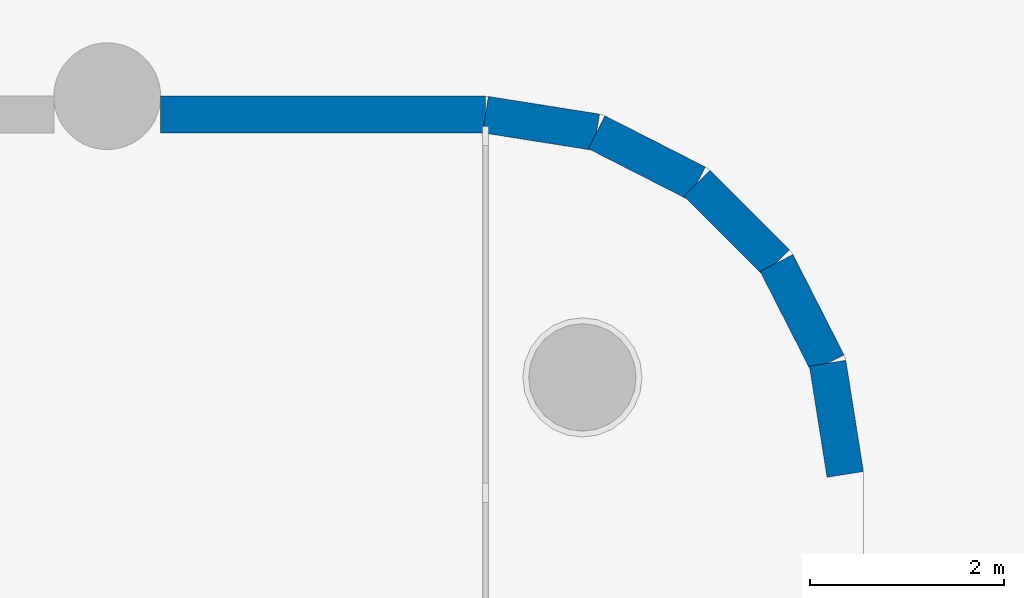
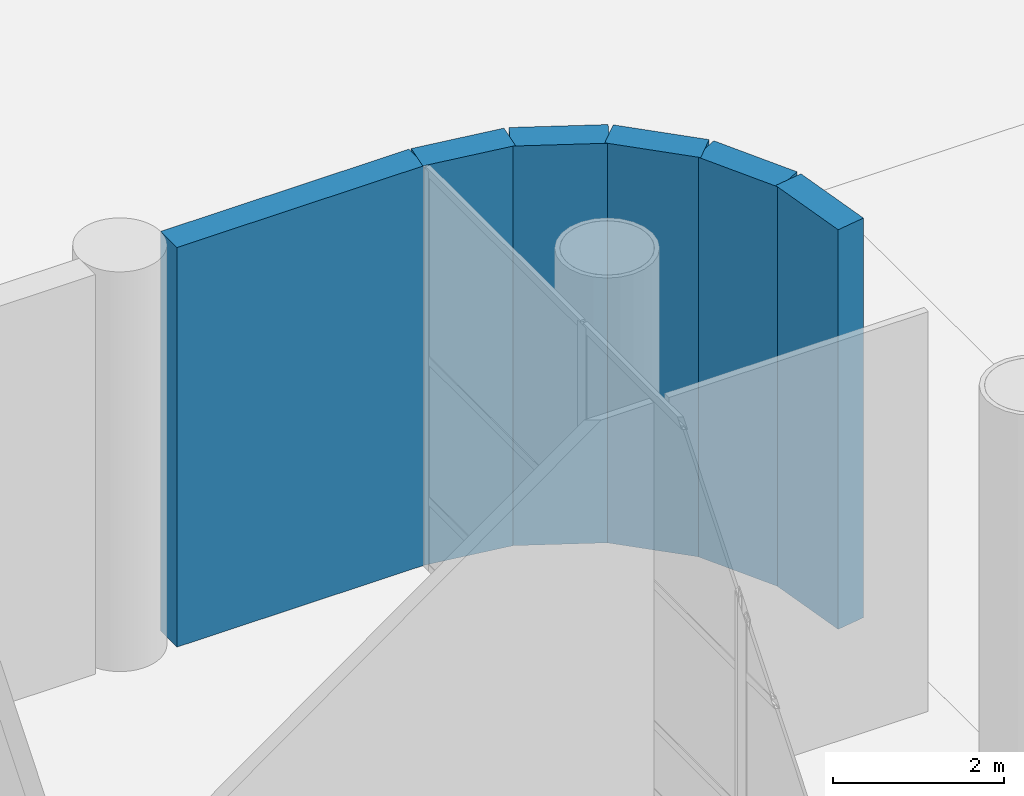
# One storey, part 16 of 32: 6 walls.
"""IFC4 building model written with IfcOpenShell, lengths in metres."""

from ifc_helpers import new_model, si_unit, direction, frame, frame_2d, origin, place, context, subcontext, project, spatial, rectangle, extrude, material, layer, layer_set, type_object, element, save


model = new_model("IFC4")

# Units and contexts
model_context = context("Model", 3, precision=1e-05, world=origin(), true_north=direction((0.0, 1.0)))
body_context = subcontext(model_context, "Body", "Model", "MODEL_VIEW")
ifc_project = project(units=[si_unit("LENGTHUNIT", "METRE"), si_unit("AREAUNIT", "SQUARE_METRE"), si_unit("VOLUMEUNIT", "CUBIC_METRE"), si_unit("PLANEANGLEUNIT", "RADIAN"), si_unit("MASSUNIT", "GRAM", prefix="KILO")], contexts=[model_context])

# Site, building, storey
site_placement = place(None, origin())
site = spatial("IfcSite", under=ifc_project, at=site_placement, CompositionType="ELEMENT")
building_placement = place(site_placement, origin())
building = spatial("IfcBuilding", under=site, at=building_placement, Name="Ludao Terraces", CompositionType="ELEMENT")
storey_placement = place(building_placement, origin())
storey = spatial("IfcBuildingStorey", under=building, at=storey_placement, Name="L00", CompositionType="ELEMENT", Elevation=0.0)

# Walls
ifc_material_1 = material(Name="Granite cladding", Category="masonry")
ifc_layer_1 = layer(ifc_material_1, 0.06005859375, Category="stone")
ifc_material_2 = material(Name="Mineral wool")
ifc_layer_2 = layer(ifc_material_2, 0.06005859375)
ifc_material_3 = material(Name="Concrete C40", Category="concrete")
ifc_layer_3 = layer(ifc_material_3, 0.260009765625, Category="concrete")
ifc_layer_set = layer_set([ifc_layer_1, ifc_layer_2, ifc_layer_3], Name="ENV Stone-clad wall 380")
wall_type = type_object("IfcWallType", Name="ENV Stone-clad wall 380", PredefinedType="SOLIDWALL", material=ifc_layer_set)
wall_1_placement = place(storey_placement, frame((116.75, 88.2099609375, 0.0), z_axis=(0.0, 0.0, 1.0), x_axis=(1.0, 0.0, 0.0)))
element("IfcWall", 1, at=wall_1_placement, inside=storey, type_object=wall_type, Name="EW-L00-N8", PredefinedType="SOLIDWALL", context=body_context, shape_type="SweptSolid", body=[
    extrude(rectangle(XDim=3.35009765625, YDim=0.3798828125, at=frame_2d((1.675048828125, 0.0))), origin(), (0.0, 0.0, 1.0), 5.699951171875),
])
wall_2_placement = place(storey_placement, frame((123.81005859375, 84.5, 0.0), z_axis=(0.0, 0.0, 1.0), x_axis=(-0.156480971952, 0.987680973502, 0.0)))
element("IfcWall", 2, at=wall_2_placement, inside=storey, type_object=wall_type, Name="EW-L00-NE1", PredefinedType="SOLIDWALL", context=body_context, shape_type="SweptSolid", body=[
    extrude(rectangle(XDim=1.160888671875, YDim=0.3798828125, at=frame_2d((0.58056640625, 0.0))), origin(), (0.0, 0.0, 1.0), 5.699951171875),
])
wall_3_placement = place(storey_placement, frame((123.62841796875, 85.646484375, 0.0), z_axis=(0.0, 0.0, 1.0), x_axis=(-0.453932083539, 0.891036286317, 0.0)))
element("IfcWall", 3, at=wall_3_placement, inside=storey, type_object=wall_type, Name="EW-L00-NE2", PredefinedType="SOLIDWALL", context=body_context, shape_type="SweptSolid", body=[
    extrude(rectangle(XDim=1.16064453125, YDim=0.3798828125, at=frame_2d((0.580322265625, 0.0))), origin(), (0.0, 0.0, 1.0), 5.699951171875),
])
for number, where, z_axis, x_axis, name in (
    (4, (123.1015625, 86.6806640625, 0.0), (0.0, 0.0, 1.0), (-0.707106781187, 0.707106781187, 0.0), "EW-L00-NE3"),
    (5, (122.28076171875, 87.50146484375, 0.0), (0.0, 0.0, 1.0), (-0.891079617357, 0.453847017762, 0.0), "EW-L00-NE4"),
):
    element("IfcWall", number, at=place(storey_placement, frame(where, z_axis=z_axis, x_axis=x_axis)), inside=storey, type_object=wall_type, Name=name, PredefinedType="SOLIDWALL", context=body_context, shape_type="SweptSolid", body=[
        extrude(rectangle(XDim=1.160888671875, YDim=0.3798828125, at=frame_2d((0.58056640625, 0.0))), origin(), (0.0, 0.0, 1.0), 5.699951171875),
    ])
wall_4_placement = place(storey_placement, frame((121.246337890625, 88.0283203125, 0.0), z_axis=(0.0, 0.0, 1.0), x_axis=(-0.987675821844, 0.156513484867, 0.0)))
element("IfcWall", 6, at=wall_4_placement, inside=storey, type_object=wall_type, Name="EW-L00-NE5", PredefinedType="SOLIDWALL", context=body_context, shape_type="SweptSolid", body=[
    extrude(rectangle(XDim=1.16064453125, YDim=0.3798828125, at=frame_2d((0.580322265625, 0.0))), origin(), (0.0, 0.0, 1.0), 5.699951171875),
])

save(model, "model.ifc")
